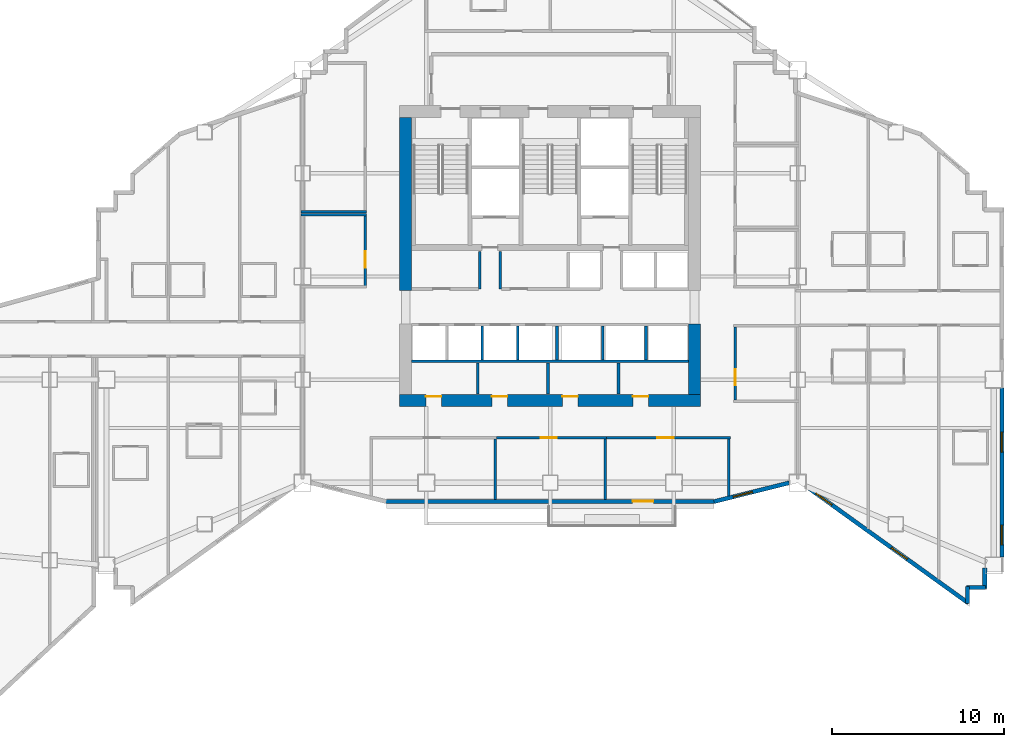
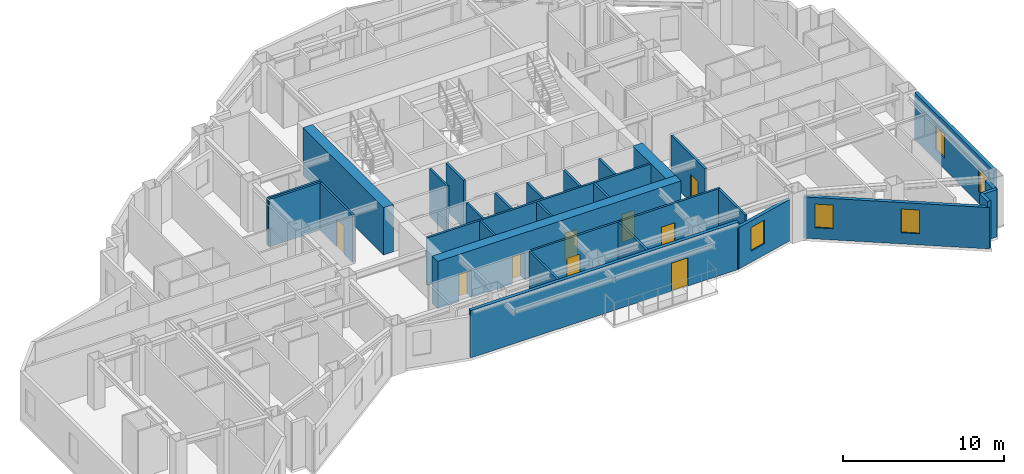
# One storey, part 9 of 15: 30 walls, 9 doors, 5 windows, 14 openings.
"""IFC4 building model written with IfcOpenShell, lengths in metres."""

import ifcopenshell
import ifcopenshell.guid

model = None  # the IFC model being written
_history = None  # IfcOwnerHistory: only IFC2X3 demands one
_inside = {}  # id of a spatial element -> (the spatial element, [elements in it])
_under = {}  # id of a project, library or spatial element -> (it, [spatial elements below it])
_declared = {}  # id of a project -> (the project, [libraries it declares])
_typed = {}  # id of a type object -> (the type object, [elements of that type])
_made_of = {}  # id of a material, layer set ... -> (it, [elements and type objects made of it])


def new_model(schema):
    """Start an empty IFC model of exactly this schema.

    Asked for "IFC4X3", IfcOpenShell would pick the latest addendum, in which some entities
    have other attributes; the version numbers below select the first issue.
    IFC2X3 requires an IfcOwnerHistory on every rooted entity: one is made here for all.
    """
    global model, _history
    if schema == "IFC4X3":
        model = ifcopenshell.file(schema_version=(4, 3, 0, 0))
    else:
        model = ifcopenshell.file(schema=schema)
    _inside.clear()
    _under.clear()
    _declared.clear()
    _typed.clear()
    _made_of.clear()
    _history = None
    if model.schema == "IFC2X3":
        org = make("IfcOrganization", Name="unknown")
        user = make(
            "IfcPersonAndOrganization",
            ThePerson=make("IfcPerson", FamilyName="unknown"),
            TheOrganization=org,
        )
        app = make(
            "IfcApplication",
            ApplicationDeveloper=org,
            Version="unknown",
            ApplicationFullName="unknown",
            ApplicationIdentifier="unknown",
        )
        _history = make(
            "IfcOwnerHistory",
            OwningUser=user,
            OwningApplication=app,
            ChangeAction="ADDED",
            CreationDate=0,
        )
    return model


def make(cls, **values):
    """One entity of the class cls with the attributes given. An attribute that is None is left unset."""
    return model.create_entity(
        cls, **{name: value for name, value in values.items() if value is not None}
    )


def rooted(cls, **values):
    """An entity with a GlobalId (a new one), such as an element, a storey or a relation."""
    return make(cls, GlobalId=ifcopenshell.guid.new(), OwnerHistory=_history, **values)


def si_unit(unit_type, name, prefix=None):
    """IfcSIUnit, for example si_unit("LENGTHUNIT", "METRE", prefix="MILLI")."""
    return make("IfcSIUnit", UnitType=unit_type, Prefix=prefix, Name=name)


def assignment(units):
    """IfcUnitAssignment: the units of a project."""
    return None if units is None else make("IfcUnitAssignment", Units=units)


def point(xyz):
    """IfcCartesianPoint."""
    return None if xyz is None else make("IfcCartesianPoint", Coordinates=xyz)


def direction(xyz):
    """IfcDirection."""
    return None if xyz is None else make("IfcDirection", DirectionRatios=xyz)


def frame(location, z_axis=None, x_axis=None):
    """IfcAxis2Placement3D, a coordinate frame: its origin and axes. An axis left out is left unset."""
    return make(
        "IfcAxis2Placement3D",
        Location=point(location),
        Axis=direction(z_axis),
        RefDirection=direction(x_axis),
    )


def frame_2d(location, x_axis=None):
    """IfcAxis2Placement2D, a coordinate frame in the plane: its origin and x axis."""
    return make(
        "IfcAxis2Placement2D", Location=point(location), RefDirection=direction(x_axis)
    )


def origin():
    """The frame at (0, 0, 0) with its axes left unset."""
    return frame((0.0, 0.0, 0.0))


def place(relative_to, where):
    """IfcLocalPlacement: puts the frame where relative to a parent placement (None: the world)."""
    return make(
        "IfcLocalPlacement", PlacementRelTo=relative_to, RelativePlacement=where
    )


def context(
    kind, dimensions, precision=None, world=None, true_north=None, identifier=None
):
    """IfcGeometricRepresentationContext, for example the 3D "Model" context."""
    return make(
        "IfcGeometricRepresentationContext",
        ContextIdentifier=identifier,
        ContextType=kind,
        CoordinateSpaceDimension=dimensions,
        Precision=precision,
        WorldCoordinateSystem=world,
        TrueNorth=true_north,
    )


def subcontext(parent, identifier, kind, view, scale=None):
    """IfcGeometricRepresentationSubContext, for example "Body" below "Model"."""
    return make(
        "IfcGeometricRepresentationSubContext",
        ContextIdentifier=identifier,
        ContextType=kind,
        ParentContext=parent,
        TargetScale=scale,
        TargetView=view,
    )


def project(units=None, contexts=None):
    """IfcProject with its units and contexts."""
    return rooted(
        "IfcProject",
        Name="project",
        RepresentationContexts=contexts,
        UnitsInContext=assignment(units),
    )


def spatial(cls, under=None, at=None, **own):
    """A site, building, storey or space (cls), placed at a placement, below another one or the project."""
    s = rooted(cls, ObjectPlacement=at, **own)
    if under is not None:
        _under.setdefault(under.id(), (under, []))[1].append(s)
    return s


def profile(cls, at=None, kind="AREA", **sizes):
    """A parametric profile (cls). Its sizes go by their IFC names, for example OverallWidth=200.0."""
    return make(cls, ProfileType=kind, Position=at, **sizes)


def rectangle(**sizes):
    """IfcRectangleProfileDef."""
    return profile("IfcRectangleProfileDef", **sizes)


def extrude(swept, where, along, depth):
    """IfcExtrudedAreaSolid: the profile swept, set in the frame where, extruded along a direction by depth."""
    return make(
        "IfcExtrudedAreaSolid",
        SweptArea=swept,
        Position=where,
        ExtrudedDirection=direction(along),
        Depth=depth,
    )


def shape(context_of_items, identifier, shape_type, items):
    """IfcShapeRepresentation: the items that make up one representation, for example the "Body"."""
    return make(
        "IfcShapeRepresentation",
        ContextOfItems=context_of_items,
        RepresentationIdentifier=identifier,
        RepresentationType=shape_type,
        Items=items,
    )


def material(Name=None, Category=None):
    """IfcMaterial."""
    return make("IfcMaterial", Name=Name, Category=Category)


def layer(
    of_material, thickness, ventilated=None, Name=None, Category=None, Priority=None
):
    """IfcMaterialLayer: one layer of a wall or slab, of a material (None: an air gap)."""
    return make(
        "IfcMaterialLayer",
        Material=of_material,
        LayerThickness=thickness,
        IsVentilated=ventilated,
        Name=Name,
        Category=Category,
        Priority=Priority,
    )


def layer_set(layers, Name=None):
    """IfcMaterialLayerSet."""
    return make("IfcMaterialLayerSet", MaterialLayers=layers, LayerSetName=Name)


def made_of(thing, what):
    """Note that an element or type object is made of a material, layer set ...; save() writes the relation."""
    if what is not None:
        _made_of.setdefault(what.id(), (what, []))[1].append(thing)
    return thing


def type_object(cls, material=None, **own):
    """A type object (cls), such as IfcWallType, which elements share."""
    return made_of(rooted(cls, **own), material)


def element(
    cls,
    number,
    at=None,
    inside=None,
    cuts=None,
    type_object=None,
    material=None,
    context=None,
    identifier="Body",
    shape_type=None,
    held_by="IfcProductDefinitionShape",
    body=None,
    shapes=None,
    **own,
):
    """One element of the class cls, such as IfcWall. Its Tag is "e" and its number.

    at: its placement. inside: the storey or other place that contains it. cuts: it is an
    opening in that element (IfcRelVoidsElement). A single representation is given by context,
    identifier, shape_type and body (its items); several are given by shapes. held_by: the class
    of the entity that holds the representations. save() writes the other relations.
    """
    e = rooted(cls, Tag="e%d" % number, ObjectPlacement=at, **own)
    if body is not None:
        shapes = [shape(context, identifier, shape_type, body)]
    if shapes is not None:
        e.Representation = make(held_by, Representations=shapes)
    if inside is not None:
        _inside.setdefault(inside.id(), (inside, []))[1].append(e)
    if cuts is not None:
        rooted(
            "IfcRelVoidsElement", RelatingBuildingElement=cuts, RelatedOpeningElement=e
        )
    if type_object is not None:
        _typed.setdefault(type_object.id(), (type_object, []))[1].append(e)
    return made_of(e, material)


def fill(opening, filler):
    """IfcRelFillsElement: the door or window that sits in an opening."""
    return rooted(
        "IfcRelFillsElement",
        RelatingOpeningElement=opening,
        RelatedBuildingElement=filler,
    )


def aggregate(whole, parts):
    """IfcRelAggregates: a whole, such as a stair, and the parts it consists of."""
    return rooted("IfcRelAggregates", RelatingObject=whole, RelatedObjects=parts)


def save(model, path):
    """Write the relations noted so far, then the file.

    IfcRelAggregates (storeys below a building ...), IfcRelContainedInSpatialStructure (elements
    in a storey), IfcRelDefinesByType, IfcRelAssociatesMaterial and IfcRelDeclares: one each for
    every whole, place, type object, material and project.
    """
    for whole, parts in _under.values():
        aggregate(whole, parts)
    for where, things in _inside.values():
        rooted(
            "IfcRelContainedInSpatialStructure",
            RelatedElements=things,
            RelatingStructure=where,
        )
    for kind, things in _typed.values():
        rooted("IfcRelDefinesByType", RelatedObjects=things, RelatingType=kind)
    for what, things in _made_of.values():
        rooted("IfcRelAssociatesMaterial", RelatedObjects=things, RelatingMaterial=what)
    for by, libraries in _declared.values():
        rooted("IfcRelDeclares", RelatingContext=by, RelatedDefinitions=libraries)
    model.write(path)


model = new_model("IFC4")

# Units and contexts
model_context = context("Model", 3, precision=1e-05, world=origin(), true_north=direction((0.0, 1.0)))
body_context = subcontext(model_context, "Body", "Model", "MODEL_VIEW")
ifc_project = project(units=[si_unit("LENGTHUNIT", "METRE"), si_unit("AREAUNIT", "SQUARE_METRE"), si_unit("VOLUMEUNIT", "CUBIC_METRE"), si_unit("PLANEANGLEUNIT", "RADIAN"), si_unit("MASSUNIT", "GRAM", prefix="KILO")], contexts=[model_context])

# Site, building, storey
site_placement = place(None, origin())
site = spatial("IfcSite", under=ifc_project, at=site_placement, CompositionType="ELEMENT")
building_placement = place(site_placement, origin())
building = spatial("IfcBuilding", under=site, at=building_placement, Name="Haolan Belvedere Tower", CompositionType="ELEMENT")
storey_placement = place(building_placement, frame((0.0, 0.0, 152.39990234375)))
storey = spatial("IfcBuildingStorey", under=building, at=storey_placement, Name="L38", CompositionType="ELEMENT", Elevation=152.39990234375)

# Wall, openings, doors
ifc_material_1 = material(Name="Concrete C60/75", Category="concrete")
ifc_layer_1 = layer(ifc_material_1, 0.699951171875, Name="Concrete C60/75")
ifc_layer_set_1 = layer_set([ifc_layer_1], Name="Concrete C60/75")
wall_type_1 = type_object("IfcWallType", Name="WL-CORE-700", PredefinedType="SHEAR", material=ifc_layer_set_1)
wall_1_placement = place(storey_placement, frame((29.64990234375, 26.39990234375, 0.0), z_axis=(0.0, 0.0, 1.0), x_axis=(1.0, 0.0, 0.0)))
wall_1 = element("IfcWall", 1, at=wall_1_placement, inside=storey, type_object=wall_type_1, Name="L38 central core south shear wall", PredefinedType="SHEAR", context=body_context, shape_type="SweptSolid", body=[
    extrude(rectangle(XDim=17.5, YDim=0.699951171875, at=frame_2d((8.75, 0.0))), origin(), (0.0, 0.0, 1.0), 3.60009765625),
])
opening_1_placement = place(wall_1_placement, frame((2.419921875, 0.0, 0.0), z_axis=(0.0, 0.0, 1.0), x_axis=(-1.0, 0.0, 0.0)))
opening_1 = element("IfcOpeningElement", 2, at=opening_1_placement, cuts=wall_1, Name="Opening FD-05", PredefinedType="OPENING", context=body_context, shape_type="SweptSolid", body=[
    extrude(rectangle(XDim=0.89990234375, YDim=2.10009765625, at=frame_2d((0.449951171875, 1.050048828125))), frame((0.0, 0.35986328125, 0.0), z_axis=(0.0, -1.0, 0.0), x_axis=(1.0, 0.0, 0.0)), (0.0, 0.0, 1.0), 0.719970703125),
])
opening_2_placement = place(wall_1_placement, frame((6.260009765625, 0.0, 0.0), z_axis=(0.0, 0.0, 1.0), x_axis=(-1.0, 0.0, 0.0)))
opening_2 = element("IfcOpeningElement", 3, at=opening_2_placement, cuts=wall_1, Name="Opening FD-05", PredefinedType="OPENING", context=body_context, shape_type="SweptSolid", body=[
    extrude(rectangle(XDim=0.89990234375, YDim=2.10009765625, at=frame_2d((0.449951171875, 1.050048828125))), frame((0.0, 0.35986328125, 0.0), z_axis=(0.0, -1.0, 0.0), x_axis=(1.0, 0.0, 0.0)), (0.0, 0.0, 1.0), 0.719970703125),
])
opening_3_placement = place(wall_1_placement, frame((10.35986328125, 0.0, 0.0), z_axis=(0.0, 0.0, 1.0), x_axis=(-1.0, 0.0, 0.0)))
opening_3 = element("IfcOpeningElement", 4, at=opening_3_placement, cuts=wall_1, Name="Opening FD-05", PredefinedType="OPENING", context=body_context, shape_type="SweptSolid", body=[
    extrude(rectangle(XDim=0.89990234375, YDim=2.10009765625, at=frame_2d((0.449951171875, 1.050048828125))), frame((0.0, 0.35986328125, 0.0), z_axis=(0.0, -1.0, 0.0), x_axis=(1.0, 0.0, 0.0)), (0.0, 0.0, 1.0), 0.719970703125),
])
opening_4_placement = place(wall_1_placement, frame((14.4599609375, 0.0, 0.0), z_axis=(0.0, 0.0, 1.0), x_axis=(-1.0, 0.0, 0.0)))
opening_4 = element("IfcOpeningElement", 5, at=opening_4_placement, cuts=wall_1, Name="Opening FD-05", PredefinedType="OPENING", context=body_context, shape_type="SweptSolid", body=[
    extrude(rectangle(XDim=0.89990234375, YDim=2.10009765625, at=frame_2d((0.449951171875, 1.050048828125))), frame((0.0, 0.35986328125, 0.0), z_axis=(0.0, -1.0, 0.0), x_axis=(1.0, 0.0, 0.0)), (0.0, 0.0, 1.0), 0.719970703125),
])
ifc_material_2 = material(Name="Galvanised fire-rated steel", Category="steel")
door_type_1 = type_object("IfcDoorType", Name="DR-FD60-900", OperationType="NOTDEFINED", PredefinedType="DOOR", material=ifc_material_2)
door_1_placement = place(opening_1_placement, origin())
door_1 = element("IfcDoor", 6, at=door_1_placement, inside=storey, type_object=door_type_1, Name="L38 door CD-L38-SCV-1", OperationType="SINGLE_SWING_LEFT", OverallHeight=2.10009765625, OverallWidth=0.89990234375, PredefinedType="DOOR", context=body_context, shape_type="SweptSolid", body=[
    extrude(rectangle(XDim=0.89990234375, YDim=2.10009765625, at=frame_2d((0.449951171875, 1.050048828125))), frame((0.0, -0.19482421875, 0.0), z_axis=(0.0, -1.0, 0.0), x_axis=(1.0, 0.0, 0.0)), (0.0, 0.0, 1.0), 0.050048828125),
])
fill(opening_1, door_1)
door_2_placement = place(opening_2_placement, origin())
door_2 = element("IfcDoor", 7, at=door_2_placement, inside=storey, type_object=door_type_1, Name="L38 door CD-L38-SCV-2", OperationType="SINGLE_SWING_RIGHT", OverallHeight=2.10009765625, OverallWidth=0.89990234375, PredefinedType="DOOR", context=body_context, shape_type="SweptSolid", body=[
    extrude(rectangle(XDim=0.89990234375, YDim=2.10009765625, at=frame_2d((0.449951171875, 1.050048828125))), frame((0.0, -0.19482421875, 0.0), z_axis=(0.0, -1.0, 0.0), x_axis=(1.0, 0.0, 0.0)), (0.0, 0.0, 1.0), 0.050048828125),
])
fill(opening_2, door_2)
door_3_placement = place(opening_3_placement, origin())
door_3 = element("IfcDoor", 8, at=door_3_placement, inside=storey, type_object=door_type_1, Name="L38 door CD-L38-SCV-3", OperationType="SINGLE_SWING_LEFT", OverallHeight=2.10009765625, OverallWidth=0.89990234375, PredefinedType="DOOR", context=body_context, shape_type="SweptSolid", body=[
    extrude(rectangle(XDim=0.89990234375, YDim=2.10009765625, at=frame_2d((0.449951171875, 1.050048828125))), frame((0.0, -0.19482421875, 0.0), z_axis=(0.0, -1.0, 0.0), x_axis=(1.0, 0.0, 0.0)), (0.0, 0.0, 1.0), 0.050048828125),
])
fill(opening_3, door_3)
door_4_placement = place(opening_4_placement, origin())
door_4 = element("IfcDoor", 9, at=door_4_placement, inside=storey, type_object=door_type_1, Name="L38 door CD-L38-SCV-4", OperationType="SINGLE_SWING_RIGHT", OverallHeight=2.10009765625, OverallWidth=0.89990234375, PredefinedType="DOOR", context=body_context, shape_type="SweptSolid", body=[
    extrude(rectangle(XDim=0.89990234375, YDim=2.10009765625, at=frame_2d((0.449951171875, 1.050048828125))), frame((0.0, -0.19482421875, 0.0), z_axis=(0.0, -1.0, 0.0), x_axis=(1.0, 0.0, 0.0)), (0.0, 0.0, 1.0), 0.050048828125),
])
fill(opening_4, door_4)

# Walls
wall_2_placement = place(storey_placement, frame((30.0, 32.800048828125, 0.0), z_axis=(0.0, 0.0, 1.0), x_axis=(0.0, 1.0, 0.0)))
element("IfcWall", 10, at=wall_2_placement, inside=storey, type_object=wall_type_1, Name="L38 central core shear wall WN", PredefinedType="SHEAR", context=body_context, shape_type="SweptSolid", body=[
    extrude(rectangle(XDim=10.050048828125, YDim=0.699951171875, at=frame_2d((5.02490234375, 0.0))), origin(), (0.0, 0.0, 1.0), 3.60009765625),
])
wall_3_placement = place(storey_placement, frame((46.800048828125, 26.75, 0.0), z_axis=(0.0, 0.0, 1.0), x_axis=(0.0, 1.0, 0.0)))
element("IfcWall", 11, at=wall_3_placement, inside=storey, type_object=wall_type_1, Name="L38 central core shear wall ES", PredefinedType="SHEAR", context=body_context, shape_type="SweptSolid", body=[
    extrude(rectangle(XDim=4.10009765625, YDim=0.699951171875, at=frame_2d((2.050048828125, 0.0))), origin(), (0.0, 0.0, 1.0), 3.60009765625),
])

# Wall, opening, door
ifc_material_3 = material(Name="Precast concrete C40/50", Category="concrete")
ifc_layer_2 = layer(ifc_material_3, 0.239990234375, Name="Precast concrete C40/50")
ifc_layer_set_2 = layer_set([ifc_layer_2], Name="Precast concrete C40/50")
wall_type_2 = type_object("IfcWallType", Name="WL-EXT-240", PredefinedType="SOLIDWALL", material=ifc_layer_set_2)
wall_4_placement = place(storey_placement, frame((28.759765625, 20.52001953125, 0.0), z_axis=(0.0, 0.0, 1.0), x_axis=(1.0, 0.0, 0.0)))
wall_4 = element("IfcWall", 12, at=wall_4_placement, inside=storey, type_object=wall_type_2, Name="L38 pale-metal exterior spandrel wall 7.1", PredefinedType="SOLIDWALL", context=body_context, shape_type="SweptSolid", body=[
    extrude(rectangle(XDim=19.280517578125, YDim=0.239990234375, at=frame_2d((9.64013671875, 0.0))), origin(), (0.0, 0.0, 1.0), 3.60009765625),
])
opening_5_placement = place(wall_4_placement, frame((15.64013671875, 0.0, 0.0), z_axis=(0.0, 0.0, 1.0), x_axis=(-1.0, 0.0, 0.0)))
opening_5 = element("IfcOpeningElement", 13, at=opening_5_placement, cuts=wall_4, Name="Opening BD-01", PredefinedType="OPENING", context=body_context, shape_type="SweptSolid", body=[
    extrude(rectangle(XDim=1.199951171875, YDim=2.14990234375, at=frame_2d((0.60009765625, 1.074951171875))), frame((0.0, 0.1298828125, 0.0), z_axis=(0.0, -1.0, 0.0), x_axis=(1.0, 0.0, 0.0)), (0.0, 0.0, 1.0), 0.260009765625),
])
ifc_material_4 = material(Name="Thermally broken pale-metal aluminium and Low-E glass", Category="aluminium")
door_type_2 = type_object("IfcDoorType", Name="DR-BAL-1200", OperationType="NOTDEFINED", PredefinedType="DOOR", material=ifc_material_4)
door_5_placement = place(opening_5_placement, origin())
door_5 = element("IfcDoor", 14, at=door_5_placement, inside=storey, type_object=door_type_2, Name="L38 tree-balcony access door 1", OperationType="SINGLE_SWING_RIGHT", OverallHeight=2.14990234375, OverallWidth=1.199951171875, PredefinedType="DOOR", context=body_context, shape_type="SweptSolid", body=[
    extrude(rectangle(XDim=1.199951171875, YDim=2.14990234375, at=frame_2d((0.60009765625, 1.074951171875))), frame((0.0, 0.02490234375, 0.0), z_axis=(0.0, -1.0, 0.0), x_axis=(1.0, 0.0, 0.0)), (0.0, 0.0, 1.0), 0.050048828125),
])
fill(opening_5, door_5)

# Wall, opening, window
wall_5_placement = place(storey_placement, frame((47.931884765625, 20.506591796875, 0.0), z_axis=(0.0, 0.0, 1.0), x_axis=(0.970145683738, 0.242522890311, 0.0)))
wall_5 = element("IfcWall", 15, at=wall_5_placement, inside=storey, type_object=wall_type_2, Name="L38 pale-metal exterior spandrel wall 8.1", PredefinedType="SOLIDWALL", context=body_context, shape_type="SweptSolid", body=[
    extrude(rectangle(XDim=4.510986328125, YDim=0.239990234375, at=frame_2d((2.25537109375, 0.0))), origin(), (0.0, 0.0, 1.0), 3.14501953125),
])
opening_6_placement = place(wall_5_placement, frame((1.15625, 0.0, 0.85009765625)))
opening_6 = element("IfcOpeningElement", 16, at=opening_6_placement, cuts=wall_5, Name="Opening W-02", PredefinedType="OPENING", context=body_context, shape_type="SweptSolid", body=[
    extrude(rectangle(XDim=1.14990234375, YDim=1.800048828125, at=frame_2d((0.574951171875, 0.89990234375))), frame((0.0, 0.1298828125, 0.0), z_axis=(0.0, -1.0, 0.0), x_axis=(1.0, 0.0, 0.0)), (0.0, 0.0, 1.0), 0.260009765625),
])
ifc_material_5 = material(Name="Anodised aluminium 6063-T6 and Low-E glass", Category="aluminium")
window_type = type_object("IfcWindowType", Name="WN-DECO-Z2", PartitioningType="SINGLE_PANEL", PredefinedType="WINDOW", material=ifc_material_5)
window_1_placement = place(opening_6_placement, origin())
window_1 = element("IfcWindow", 17, at=window_1_placement, inside=storey, type_object=window_type, Name="L38 Art Deco chevron window 1", OverallHeight=1.800048828125, OverallWidth=1.14990234375, PartitioningType="SINGLE_PANEL", PredefinedType="WINDOW", context=body_context, shape_type="SweptSolid", body=[
    extrude(rectangle(XDim=1.14990234375, YDim=1.800048828125, at=frame_2d((0.574951171875, 0.89990234375))), frame((0.0, 0.030029296875, 0.0), z_axis=(0.0, -1.0, 0.0), x_axis=(1.0, 0.0, 0.0)), (0.0, 0.0, 1.0), 0.06005859375),
])
fill(opening_6, window_1)

# Wall, openings, windows
wall_6_placement = place(storey_placement, frame((53.2919921875, 21.3935546875, 0.0), z_axis=(0.0, 0.0, 1.0), x_axis=(0.811543504691, -0.584291998913, 0.0)))
wall_6 = element("IfcWall", 18, at=wall_6_placement, inside=storey, type_object=wall_type_2, Name="L38 pale-metal exterior spandrel wall 9.1", PredefinedType="SOLIDWALL", context=body_context, shape_type="SweptSolid", body=[
    extrude(rectangle(XDim=11.623046875, YDim=0.239990234375, at=frame_2d((5.8115234375, 0.0))), origin(), (0.0, 0.0, 1.0), 3.14501953125),
])
opening_7_placement = place(wall_6_placement, frame((0.699951171875, 0.0, 0.85009765625)))
opening_7 = element("IfcOpeningElement", 19, at=opening_7_placement, cuts=wall_6, Name="Opening W-02", PredefinedType="OPENING", context=body_context, shape_type="SweptSolid", body=[
    extrude(rectangle(XDim=1.14990234375, YDim=1.800048828125, at=frame_2d((0.574951171875, 0.89990234375))), frame((0.0, 0.1298828125, 0.0), z_axis=(0.0, -1.0, 0.0), x_axis=(1.0, 0.0, 0.0)), (0.0, 0.0, 1.0), 0.260009765625),
])
opening_8_placement = place(wall_6_placement, frame((6.10009765625, 0.0, 0.85009765625)))
opening_8 = element("IfcOpeningElement", 20, at=opening_8_placement, cuts=wall_6, Name="Opening W-02", PredefinedType="OPENING", context=body_context, shape_type="SweptSolid", body=[
    extrude(rectangle(XDim=1.14990234375, YDim=1.800048828125, at=frame_2d((0.574951171875, 0.89990234375))), frame((0.0, 0.1298828125, 0.0), z_axis=(0.0, -1.0, 0.0), x_axis=(1.0, 0.0, 0.0)), (0.0, 0.0, 1.0), 0.260009765625),
])
window_2_placement = place(opening_7_placement, origin())
window_2 = element("IfcWindow", 21, at=window_2_placement, inside=storey, type_object=window_type, Name="L38 Art Deco chevron window 1", OverallHeight=1.800048828125, OverallWidth=1.14990234375, PartitioningType="SINGLE_PANEL", PredefinedType="WINDOW", context=body_context, shape_type="SweptSolid", body=[
    extrude(rectangle(XDim=1.14990234375, YDim=1.800048828125, at=frame_2d((0.574951171875, 0.89990234375))), frame((0.0, 0.030029296875, 0.0), z_axis=(0.0, -1.0, 0.0), x_axis=(1.0, 0.0, 0.0)), (0.0, 0.0, 1.0), 0.06005859375),
])
fill(opening_7, window_2)
window_3_placement = place(opening_8_placement, origin())
window_3 = element("IfcWindow", 22, at=window_3_placement, inside=storey, type_object=window_type, Name="L38 Art Deco chevron window 2", OverallHeight=1.800048828125, OverallWidth=1.14990234375, PartitioningType="SINGLE_PANEL", PredefinedType="WINDOW", context=body_context, shape_type="SweptSolid", body=[
    extrude(rectangle(XDim=1.14990234375, YDim=1.800048828125, at=frame_2d((0.574951171875, 0.89990234375))), frame((0.0, 0.030029296875, 0.0), z_axis=(0.0, -1.0, 0.0), x_axis=(1.0, 0.0, 0.0)), (0.0, 0.0, 1.0), 0.06005859375),
])
fill(opening_8, window_3)

# Walls
wall_7_placement = place(storey_placement, frame((62.679931640625, 14.579345703125, 0.0), z_axis=(0.0, 0.0, 1.0), x_axis=(0.0, 1.0, 0.0)))
element("IfcWall", 23, at=wall_7_placement, inside=storey, type_object=wall_type_2, Name="L38 pale-metal exterior spandrel wall 10.1", PredefinedType="SOLIDWALL", context=body_context, shape_type="SweptSolid", body=[
    extrude(rectangle(XDim=0.99560546875, YDim=0.239990234375, at=frame_2d((0.497802734375, 0.0))), origin(), (0.0, 0.0, 1.0), 3.60009765625),
])
wall_8_placement = place(storey_placement, frame((62.625, 15.52001953125, 0.0), z_axis=(0.0, 0.0, 1.0), x_axis=(1.0, 0.0, 0.0)))
element("IfcWall", 24, at=wall_8_placement, inside=storey, type_object=wall_type_2, Name="L38 pale-metal exterior spandrel wall 11.1", PredefinedType="SOLIDWALL", context=body_context, shape_type="SweptSolid", body=[
    extrude(rectangle(XDim=1.110107421875, YDim=0.239990234375, at=frame_2d((0.55517578125, 0.0))), origin(), (0.0, 0.0, 1.0), 3.60009765625),
])
wall_9_placement = place(storey_placement, frame((63.679931640625, 15.465087890625, 0.0), z_axis=(0.0, 0.0, 1.0), x_axis=(0.0, 1.0, 0.0)))
element("IfcWall", 25, at=wall_9_placement, inside=storey, type_object=wall_type_2, Name="L38 pale-metal exterior spandrel wall 12.1", PredefinedType="SOLIDWALL", context=body_context, shape_type="SweptSolid", body=[
    extrude(rectangle(XDim=1.1748046875, YDim=0.239990234375, at=frame_2d((0.58740234375, 0.0))), origin(), (0.0, 0.0, 1.0), 3.60009765625),
])

# Wall, openings, windows
wall_10_placement = place(storey_placement, frame((64.679931640625, 17.2919921875, 0.0), z_axis=(0.0, 0.0, 1.0), x_axis=(0.0, 1.0, 0.0)))
wall_10 = element("IfcWall", 26, at=wall_10_placement, inside=storey, type_object=wall_type_2, Name="L38 pale-metal exterior spandrel wall 14.1", PredefinedType="SOLIDWALL", context=body_context, shape_type="SweptSolid", body=[
    extrude(rectangle(XDim=9.81591796875, YDim=0.239990234375, at=frame_2d((4.907958984375, 0.0))), origin(), (0.0, 0.0, 1.0), 3.60009765625),
])
opening_9_placement = place(wall_10_placement, frame((0.699951171875, 0.0, 0.85009765625)))
opening_9 = element("IfcOpeningElement", 27, at=opening_9_placement, cuts=wall_10, Name="Opening W-02", PredefinedType="OPENING", context=body_context, shape_type="SweptSolid", body=[
    extrude(rectangle(XDim=1.14990234375, YDim=1.800048828125, at=frame_2d((0.574951171875, 0.89990234375))), frame((0.0, 0.1298828125, 0.0), z_axis=(0.0, -1.0, 0.0), x_axis=(1.0, 0.0, 0.0)), (0.0, 0.0, 1.0), 0.260009765625),
])
opening_10_placement = place(wall_10_placement, frame((6.10009765625, 0.0, 0.85009765625)))
opening_10 = element("IfcOpeningElement", 28, at=opening_10_placement, cuts=wall_10, Name="Opening W-02", PredefinedType="OPENING", context=body_context, shape_type="SweptSolid", body=[
    extrude(rectangle(XDim=1.14990234375, YDim=1.800048828125, at=frame_2d((0.574951171875, 0.89990234375))), frame((0.0, 0.1298828125, 0.0), z_axis=(0.0, -1.0, 0.0), x_axis=(1.0, 0.0, 0.0)), (0.0, 0.0, 1.0), 0.260009765625),
])
window_4_placement = place(opening_9_placement, origin())
window_4 = element("IfcWindow", 29, at=window_4_placement, inside=storey, type_object=window_type, Name="L38 Art Deco chevron window 1", OverallHeight=1.800048828125, OverallWidth=1.14990234375, PartitioningType="SINGLE_PANEL", PredefinedType="WINDOW", context=body_context, shape_type="SweptSolid", body=[
    extrude(rectangle(XDim=1.14990234375, YDim=1.800048828125, at=frame_2d((0.574951171875, 0.89990234375))), frame((0.0, 0.030029296875, 0.0), z_axis=(0.0, -1.0, 0.0), x_axis=(1.0, 0.0, 0.0)), (0.0, 0.0, 1.0), 0.06005859375),
])
fill(opening_9, window_4)
window_5_placement = place(opening_10_placement, origin())
window_5 = element("IfcWindow", 30, at=window_5_placement, inside=storey, type_object=window_type, Name="L38 Art Deco chevron window 2", OverallHeight=1.800048828125, OverallWidth=1.14990234375, PartitioningType="SINGLE_PANEL", PredefinedType="WINDOW", context=body_context, shape_type="SweptSolid", body=[
    extrude(rectangle(XDim=1.14990234375, YDim=1.800048828125, at=frame_2d((0.574951171875, 0.89990234375))), frame((0.0, 0.030029296875, 0.0), z_axis=(0.0, -1.0, 0.0), x_axis=(1.0, 0.0, 0.0)), (0.0, 0.0, 1.0), 0.06005859375),
])
fill(opening_10, window_5)

# Walls
ifc_material_6 = material(Name="Double gypsum acoustic stud partition", Category="masonry")
ifc_layer_3 = layer(ifc_material_6, 0.14990234375, Name="Double gypsum acoustic stud partition")
ifc_layer_set_3 = layer_set([ifc_layer_3], Name="Double gypsum acoustic stud partition")
wall_type_3 = type_object("IfcWallType", Name="WL-PART-150", PredefinedType="PARTITIONING", material=ifc_layer_set_3)
wall_11_placement = place(storey_placement, frame((30.35009765625, 28.659912109375, 0.0), z_axis=(0.0, 0.0, 1.0), x_axis=(1.0, 0.0, 0.0)))
element("IfcWall", 31, at=wall_11_placement, inside=storey, type_object=wall_type_3, Name="L38 interior partition IW-L38-SSTRIP-N", PredefinedType="PARTITIONING", context=body_context, shape_type="SweptSolid", body=[
    extrude(rectangle(XDim=16.099853515625, YDim=0.14990234375, at=frame_2d((8.0498046875, 0.0))), origin(), (0.0, 0.0, 1.0), 3.60009765625),
])
for number, where, z_axis, x_axis, name in (
    (32, (34.179931640625, 26.760009765625, 0.0), (0.0, 0.0, 1.0), (0.0, 1.0, 0.0), "L38 interior partition IW-L38-SCV-DIV-1"),
    (33, (38.280029296875, 26.760009765625, 0.0), (0.0, 0.0, 1.0), (0.0, 1.0, 0.0), "L38 interior partition IW-L38-SCV-DIV-2"),
    (34, (42.3798828125, 26.760009765625, 0.0), (0.0, 0.0, 1.0), (0.0, 1.0, 0.0), "L38 interior partition IW-L38-SCV-DIV-3"),
):
    element("IfcWall", number, at=place(storey_placement, frame(where, z_axis=z_axis, x_axis=x_axis)), inside=storey, type_object=wall_type_3, Name=name, PredefinedType="PARTITIONING", context=body_context, shape_type="SweptSolid", body=[
        extrude(rectangle(XDim=1.820068359375, YDim=0.14990234375, at=frame_2d((0.91015625, 0.0))), origin(), (0.0, 0.0, 1.0), 3.60009765625),
    ])
wall_12_placement = place(storey_placement, frame((23.919921875, 37.199951171875, 0.0), z_axis=(0.0, 0.0, 1.0), x_axis=(1.0, 0.0, 0.0)))
element("IfcWall", 35, at=wall_12_placement, inside=storey, type_object=wall_type_3, Name="L38 interior partition IW-L38-HSK-N", PredefinedType="PARTITIONING", context=body_context, shape_type="SweptSolid", body=[
    extrude(rectangle(XDim=3.800048828125, YDim=0.14990234375, at=frame_2d((1.89990234375, 0.0))), origin(), (0.0, 0.0, 1.0), 3.60009765625),
])

# Wall, opening, door
wall_13_placement = place(storey_placement, frame((27.639892578125, 33.06005859375, 0.0), z_axis=(0.0, 0.0, 1.0), x_axis=(0.0, 1.0, 0.0)))
wall_13 = element("IfcWall", 36, at=wall_13_placement, inside=storey, type_object=wall_type_3, Name="L38 interior partition IW-L38-HSK-E", PredefinedType="PARTITIONING", context=body_context, shape_type="SweptSolid", body=[
    extrude(rectangle(XDim=4.079833984375, YDim=0.14990234375, at=frame_2d((2.0400390625, 0.0))), origin(), (0.0, 0.0, 1.0), 3.60009765625),
])
opening_11_placement = place(wall_13_placement, frame((2.010009765625, 0.0, 0.0), z_axis=(0.0, 0.0, 1.0), x_axis=(-1.0, 0.0, 0.0)))
opening_11 = element("IfcOpeningElement", 37, at=opening_11_placement, cuts=wall_13, Name="Opening ID-03", PredefinedType="OPENING", context=body_context, shape_type="SweptSolid", body=[
    extrude(rectangle(XDim=0.949951171875, YDim=2.1201171875, at=frame_2d((0.47509765625, 1.06005859375))), frame((0.0, 0.0849609375, 0.0), z_axis=(0.0, -1.0, 0.0), x_axis=(1.0, 0.0, 0.0)), (0.0, 0.0, 1.0), 0.169921875),
])
ifc_material_7 = material(Name="Painted solid-core timber", Category="wood")
door_type_3 = type_object("IfcDoorType", Name="DR-INT-950", OperationType="NOTDEFINED", PredefinedType="DOOR", material=ifc_material_7)
door_6_placement = place(opening_11_placement, origin())
door_6 = element("IfcDoor", 38, at=door_6_placement, inside=storey, type_object=door_type_3, Name="L38 door ID-L38-HSK", OperationType="SINGLE_SWING_LEFT", OverallHeight=2.1201171875, OverallWidth=0.949951171875, PredefinedType="DOOR", context=body_context, shape_type="SweptSolid", body=[
    extrude(rectangle(XDim=0.949951171875, YDim=2.1201171875, at=frame_2d((0.47509765625, 1.06005859375))), frame((0.0, 0.02490234375, 0.0), z_axis=(0.0, -1.0, 0.0), x_axis=(1.0, 0.0, 0.0)), (0.0, 0.0, 1.0), 0.050048828125),
])
fill(opening_11, door_6)

# Wall
wall_14_placement = place(storey_placement, frame((23.919921875, 37.360107421875, 0.0), z_axis=(0.0, 0.0, 1.0), x_axis=(1.0, 0.0, 0.0)))
element("IfcWall", 39, at=wall_14_placement, inside=storey, type_object=wall_type_3, Name="L38 interior partition IW-L38-MTG-S", PredefinedType="PARTITIONING", context=body_context, shape_type="SweptSolid", body=[
    extrude(rectangle(XDim=3.800048828125, YDim=0.14990234375, at=frame_2d((1.89990234375, 0.0))), origin(), (0.0, 0.0, 1.0), 3.60009765625),
])

# Wall, opening, door
wall_15_placement = place(storey_placement, frame((49.159912109375, 26.409912109375, 0.0), z_axis=(0.0, 0.0, 1.0), x_axis=(0.0, 1.0, 0.0)))
wall_15 = element("IfcWall", 40, at=wall_15_placement, inside=storey, type_object=wall_type_3, Name="L38 interior partition IW-L38-PKTE-W", PredefinedType="PARTITIONING", context=body_context, shape_type="SweptSolid", body=[
    extrude(rectangle(XDim=4.260009765625, YDim=0.14990234375, at=frame_2d((2.1298828125, 0.0))), origin(), (0.0, 0.0, 1.0), 3.60009765625),
])
opening_12_placement = place(wall_15_placement, frame((0.860107421875, 0.0, 0.0)))
opening_12 = element("IfcOpeningElement", 41, at=opening_12_placement, cuts=wall_15, Name="Opening ID-03", PredefinedType="OPENING", context=body_context, shape_type="SweptSolid", body=[
    extrude(rectangle(XDim=0.949951171875, YDim=2.1201171875, at=frame_2d((0.47509765625, 1.06005859375))), frame((0.0, 0.0849609375, 0.0), z_axis=(0.0, -1.0, 0.0), x_axis=(1.0, 0.0, 0.0)), (0.0, 0.0, 1.0), 0.169921875),
])
door_7_placement = place(opening_12_placement, origin())
door_7 = element("IfcDoor", 42, at=door_7_placement, inside=storey, type_object=door_type_3, Name="L38 door ID-L38-PKTE", OperationType="SINGLE_SWING_RIGHT", OverallHeight=2.1201171875, OverallWidth=0.949951171875, PredefinedType="DOOR", context=body_context, shape_type="SweptSolid", body=[
    extrude(rectangle(XDim=0.949951171875, YDim=2.1201171875, at=frame_2d((0.47509765625, 1.06005859375))), frame((0.0, 0.02490234375, 0.0), z_axis=(0.0, -1.0, 0.0), x_axis=(1.0, 0.0, 0.0)), (0.0, 0.0, 1.0), 0.050048828125),
])
fill(opening_12, door_7)

# Wall
wall_16_placement = place(storey_placement, frame((35.199951171875, 20.625, 0.0), z_axis=(0.0, 0.0, 1.0), x_axis=(0.0, 1.0, 0.0)))
element("IfcWall", 43, at=wall_16_placement, inside=storey, type_object=wall_type_3, Name="L38 interior partition IW-L38-KS2-E", PredefinedType="PARTITIONING", context=body_context, shape_type="SweptSolid", body=[
    extrude(rectangle(XDim=3.534912109375, YDim=0.14990234375, at=frame_2d((1.767578125, 0.0))), origin(), (0.0, 0.0, 1.0), 3.60009765625),
])

# Wall, opening, door
wall_17_placement = place(storey_placement, frame((35.281982421875, 24.219970703125, 0.0), z_axis=(0.0, 0.0, 1.0), x_axis=(1.0, 0.0, 0.0)))
wall_17 = element("IfcWall", 44, at=wall_17_placement, inside=storey, type_object=wall_type_3, Name="L38 interior partition IW-L38-KS3-N", PredefinedType="PARTITIONING", context=body_context, shape_type="SweptSolid", body=[
    extrude(rectangle(XDim=6.39794921875, YDim=0.14990234375, at=frame_2d((3.198974609375, 0.0))), origin(), (0.0, 0.0, 1.0), 3.60009765625),
])
opening_13_placement = place(wall_17_placement, frame((3.512939453125, 0.0, 0.0), z_axis=(0.0, 0.0, 1.0), x_axis=(-1.0, 0.0, 0.0)))
opening_13 = element("IfcOpeningElement", 45, at=opening_13_placement, cuts=wall_17, Name="Opening ID-03", PredefinedType="OPENING", context=body_context, shape_type="SweptSolid", body=[
    extrude(rectangle(XDim=0.949951171875, YDim=2.1201171875, at=frame_2d((0.47509765625, 1.06005859375))), frame((0.0, 0.0849609375, 0.0), z_axis=(0.0, -1.0, 0.0), x_axis=(1.0, 0.0, 0.0)), (0.0, 0.0, 1.0), 0.169921875),
])
door_8_placement = place(opening_13_placement, origin())
door_8 = element("IfcDoor", 46, at=door_8_placement, inside=storey, type_object=door_type_3, Name="L38 door ID-L38-KS3", OperationType="SINGLE_SWING_RIGHT", OverallHeight=2.1201171875, OverallWidth=0.949951171875, PredefinedType="DOOR", context=body_context, shape_type="SweptSolid", body=[
    extrude(rectangle(XDim=0.949951171875, YDim=2.1201171875, at=frame_2d((0.47509765625, 1.06005859375))), frame((0.0, 0.02490234375, 0.0), z_axis=(0.0, -1.0, 0.0), x_axis=(1.0, 0.0, 0.0)), (0.0, 0.0, 1.0), 0.050048828125),
])
fill(opening_13, door_8)

# Wall
wall_18_placement = place(storey_placement, frame((41.60009765625, 20.625, 0.0), z_axis=(0.0, 0.0, 1.0), x_axis=(0.0, 1.0, 0.0)))
element("IfcWall", 47, at=wall_18_placement, inside=storey, type_object=wall_type_3, Name="L38 interior partition IW-L38-KS3-E", PredefinedType="PARTITIONING", context=body_context, shape_type="SweptSolid", body=[
    extrude(rectangle(XDim=3.534912109375, YDim=0.14990234375, at=frame_2d((1.767578125, 0.0))), origin(), (0.0, 0.0, 1.0), 3.60009765625),
])

# Wall, opening, door
wall_19_placement = place(storey_placement, frame((41.681884765625, 24.219970703125, 0.0), z_axis=(0.0, 0.0, 1.0), x_axis=(1.0, 0.0, 0.0)))
wall_19 = element("IfcWall", 48, at=wall_19_placement, inside=storey, type_object=wall_type_3, Name="L38 interior partition IW-L38-KS4-N", PredefinedType="PARTITIONING", context=body_context, shape_type="SweptSolid", body=[
    extrude(rectangle(XDim=7.197998046875, YDim=0.14990234375, at=frame_2d((3.59912109375, 0.0))), origin(), (0.0, 0.0, 1.0), 3.60009765625),
])
opening_14_placement = place(wall_19_placement, frame((3.912841796875, 0.0, 0.0), z_axis=(0.0, 0.0, 1.0), x_axis=(-1.0, 0.0, 0.0)))
opening_14 = element("IfcOpeningElement", 49, at=opening_14_placement, cuts=wall_19, Name="Opening ID-03", PredefinedType="OPENING", context=body_context, shape_type="SweptSolid", body=[
    extrude(rectangle(XDim=0.949951171875, YDim=2.1201171875, at=frame_2d((0.47509765625, 1.06005859375))), frame((0.0, 0.0849609375, 0.0), z_axis=(0.0, -1.0, 0.0), x_axis=(1.0, 0.0, 0.0)), (0.0, 0.0, 1.0), 0.169921875),
])
door_9_placement = place(opening_14_placement, origin())
door_9 = element("IfcDoor", 50, at=door_9_placement, inside=storey, type_object=door_type_3, Name="L38 door ID-L38-KS4", OperationType="SINGLE_SWING_LEFT", OverallHeight=2.1201171875, OverallWidth=0.949951171875, PredefinedType="DOOR", context=body_context, shape_type="SweptSolid", body=[
    extrude(rectangle(XDim=0.949951171875, YDim=2.1201171875, at=frame_2d((0.47509765625, 1.06005859375))), frame((0.0, 0.02490234375, 0.0), z_axis=(0.0, -1.0, 0.0), x_axis=(1.0, 0.0, 0.0)), (0.0, 0.0, 1.0), 0.050048828125),
])
fill(opening_14, door_9)

# Walls
wall_20_placement = place(storey_placement, frame((48.800048828125, 20.83203125, 0.0), z_axis=(0.0, 0.0, 1.0), x_axis=(0.0, 1.0, 0.0)))
element("IfcWall", 51, at=wall_20_placement, inside=storey, type_object=wall_type_3, Name="L38 interior partition IW-L38-KS4-E", PredefinedType="PARTITIONING", context=body_context, shape_type="SweptSolid", body=[
    extrude(rectangle(XDim=3.327880859375, YDim=0.14990234375, at=frame_2d((1.6640625, 0.0))), origin(), (0.0, 0.0, 1.0), 3.60009765625),
])
ifc_material_8 = material(Name="Gypsum fire shaftwall assembly", Category="masonry")
ifc_layer_4 = layer(ifc_material_8, 0.1650390625, Name="Gypsum fire shaftwall assembly")
ifc_layer_set_4 = layer_set([ifc_layer_4], Name="Gypsum fire shaftwall assembly")
wall_type_4 = type_object("IfcWallType", Name="WL-SHAFT-160", PredefinedType="SOLIDWALL", material=ifc_layer_set_4)
for number, where, z_axis, x_axis, name in (
    (52, (34.31005859375, 32.8798828125, 0.0), (0.0, 0.0, 1.0), (0.0, 1.0, 0.0), "L38 interior partition IW-L38-SVP-W-SV1"),
    (53, (35.510009765625, 32.8798828125, 0.0), (0.0, 0.0, 1.0), (0.0, 1.0, 0.0), "L38 interior partition IW-L38-SVP-E-SV1"),
):
    element("IfcWall", number, at=place(storey_placement, frame(where, z_axis=z_axis, x_axis=x_axis)), inside=storey, type_object=wall_type_4, Name=name, PredefinedType="SOLIDWALL", context=body_context, shape_type="SweptSolid", body=[
        extrude(rectangle(XDim=2.170166015625, YDim=0.14990234375, at=frame_2d((1.0849609375, 0.0))), origin(), (0.0, 0.0, 1.0), 3.60009765625),
    ])
for number, where, z_axis, x_axis, name in (
    (54, (34.4599609375, 28.735107421875, 0.0), (0.0, 0.0, 1.0), (0.0, 1.0, 0.0), "L38 interior partition IW-L38-DIV-PM2"),
    (55, (36.52001953125, 28.735107421875, 0.0), (0.0, 0.0, 1.0), (0.0, 1.0, 0.0), "L38 interior partition IW-L38-DIV-PM3"),
    (56, (38.800048828125, 28.735107421875, 0.0), (0.0, 0.0, 1.0), (0.0, 1.0, 0.0), "L38 interior partition IW-L38-DIV-PM4"),
):
    element("IfcWall", number, at=place(storey_placement, frame(where, z_axis=z_axis, x_axis=x_axis)), inside=storey, type_object=wall_type_4, Name=name, PredefinedType="SOLIDWALL", context=body_context, shape_type="SweptSolid", body=[
        extrude(rectangle(XDim=1.98486328125, YDim=0.14990234375, at=frame_2d((0.992431640625, 0.0))), origin(), (0.0, 0.0, 1.0), 3.60009765625),
    ])
for number, where, z_axis, x_axis, name in (
    (57, (41.469970703125, 28.75, 0.0), (0.0, 0.0, 1.0), (0.0, 1.0, 0.0), "L38 interior partition IW-L38-DIV-OB1"),
    (58, (43.97998046875, 28.75, 0.0), (0.0, 0.0, 1.0), (0.0, 1.0, 0.0), "L38 interior partition IW-L38-DIV-OB2"),
):
    element("IfcWall", number, at=place(storey_placement, frame(where, z_axis=z_axis, x_axis=x_axis)), inside=storey, type_object=wall_type_4, Name=name, PredefinedType="SOLIDWALL", context=body_context, shape_type="SweptSolid", body=[
        extrude(rectangle(XDim=1.985107421875, YDim=0.14990234375, at=frame_2d((0.99267578125, 0.0))), origin(), (0.0, 0.0, 1.0), 3.60009765625),
    ])

save(model, "model.ifc")
